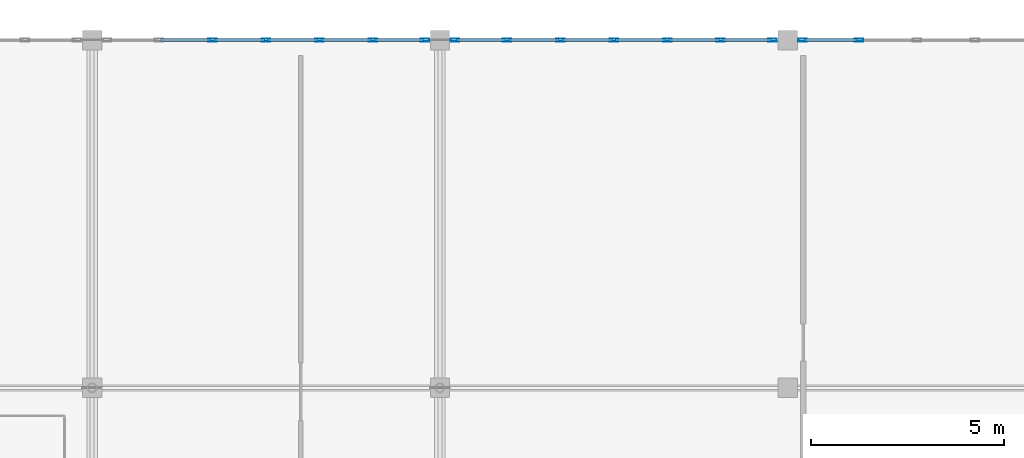
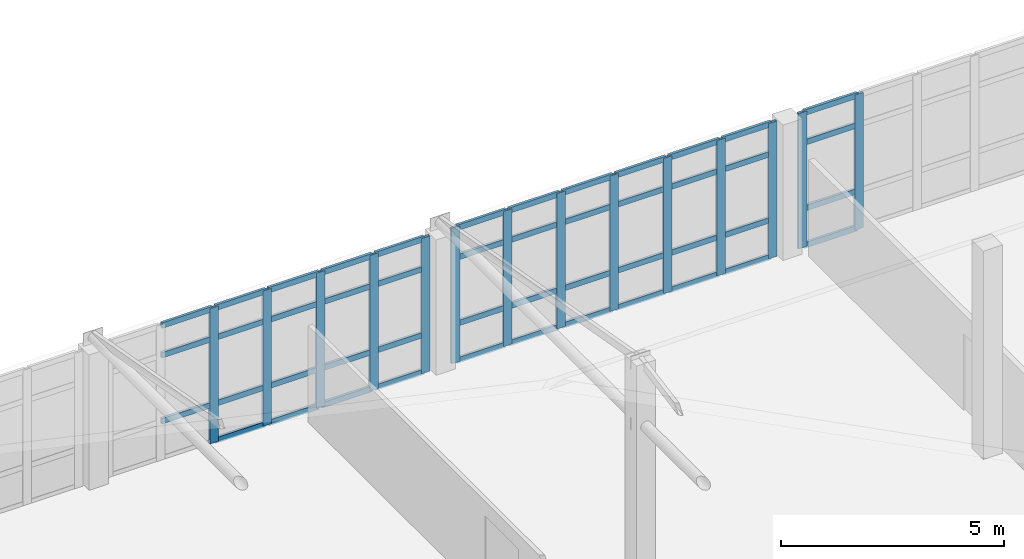
# One storey, part 71 of 156: 61 members, 3 elements without a shape of their own.
"""IFC4 building model written with IfcOpenShell, lengths in metres."""

from ifc_helpers import new_model, si_unit, direction, frame, origin, origin_2d, place, context, subcontext, project, spatial, hollow_rectangle, extrude, material, layer, layer_set, material_profile, profile_set, type_object, element, aggregate, save


model = new_model("IFC4")

# Units and contexts
model_context = context("Model", 3, precision=1e-05, world=origin(), true_north=direction((0.0, 1.0)))
body_context = subcontext(model_context, "Body", "Model", "MODEL_VIEW")
ifc_project = project(units=[si_unit("LENGTHUNIT", "METRE"), si_unit("AREAUNIT", "SQUARE_METRE"), si_unit("VOLUMEUNIT", "CUBIC_METRE"), si_unit("PLANEANGLEUNIT", "RADIAN"), si_unit("MASSUNIT", "GRAM", prefix="KILO")], contexts=[model_context])

# Site, building, storey
site_placement = place(None, origin())
site = spatial("IfcSite", under=ifc_project, at=site_placement, CompositionType="ELEMENT")
building_placement = place(site_placement, origin())
building = spatial("IfcBuilding", under=site, at=building_placement, Name="Ornek Quay Market", CompositionType="ELEMENT")
storey_placement = place(building_placement, frame((0.0, 0.0, 4.5)))
storey = spatial("IfcBuildingStorey", under=building, at=storey_placement, Name="L01", CompositionType="ELEMENT", Elevation=4.5)

# Curtain wall, members
ifc_material_1 = material(Name="Anodised bronze aluminium and triple low-e glass", Category="aluminium")
ifc_layer = layer(ifc_material_1, 0.219970703125, Name="Anodised bronze aluminium and triple low-e glass", Category="aluminium")
ifc_layer_set = layer_set([ifc_layer], Name="Anodised bronze aluminium and triple low-e glass")
curtain_wall_type = type_object("IfcCurtainWallType", Name="CW-PORCH-MOD1500", PredefinedType="USERDEFINED", material=ifc_layer_set)
curtain_wall_1_placement = place(storey_placement, origin())
curtain_wall_1 = element("IfcCurtainWall", 1, at=curtain_wall_1_placement, inside=storey, type_object=curtain_wall_type, Name="Curtain wall CW-054", ObjectType="CURTAIN WALL", PredefinedType="USERDEFINED")
ifc_material_2 = material(Name="Anodised aluminium 6063-T6", Category="aluminium")
ifc_material_profile_1 = material_profile(ifc_material_2, hollow_rectangle(XDim=0.074951171875, YDim=0.219970703125, WallThickness=0.0048828125, at=origin_2d()), Name="CW-MUL-75x220", Category="aluminium")
ifc_profile_set_1 = profile_set([ifc_material_profile_1], Name="Anodised aluminium 6063-T6")
member_type_1 = type_object("IfcMemberType", Name="CW-MUL-75x220", PredefinedType="MULLION", material=ifc_profile_set_1)
member_1_placement = place(storey_placement, frame((102.11669921875, 110.0, 0.0), z_axis=(0.0, 0.0, 1.0), x_axis=(0.0, 1.0, 0.0)))
member_1 = element("IfcMember", 2, at=member_1_placement, type_object=member_type_1, Name="CW-054 mullion 3", PredefinedType="MULLION", context=body_context, shape_type="SweptSolid", body=[
    extrude(hollow_rectangle(XDim=0.074951171875, YDim=0.219970703125, WallThickness=0.0048828125, at=origin_2d()), origin(), (0.0, 0.0, 1.0), 3.7099609375),
])
member_2_placement = place(storey_placement, frame((103.5, 110.0, 0.0), z_axis=(0.0, 0.0, 1.0), x_axis=(0.0, 1.0, 0.0)))
member_2 = element("IfcMember", 3, at=member_2_placement, type_object=member_type_1, Name="CW-054 mullion 4", PredefinedType="MULLION", context=body_context, shape_type="SweptSolid", body=[
    extrude(hollow_rectangle(XDim=0.074951171875, YDim=0.219970703125, WallThickness=0.0048828125, at=origin_2d()), origin(), (0.0, 0.0, 1.0), 3.7099609375),
])
member_3_placement = place(storey_placement, frame((104.88330078125, 110.0, 0.0), z_axis=(0.0, 0.0, 1.0), x_axis=(0.0, 1.0, 0.0)))
member_3 = element("IfcMember", 4, at=member_3_placement, type_object=member_type_1, Name="CW-054 mullion 5", PredefinedType="MULLION", context=body_context, shape_type="SweptSolid", body=[
    extrude(hollow_rectangle(XDim=0.074951171875, YDim=0.219970703125, WallThickness=0.0048828125, at=origin_2d()), origin(), (0.0, 0.0, 1.0), 3.7099609375),
])
member_4_placement = place(storey_placement, frame((106.2666015625, 110.0, 0.0), z_axis=(0.0, 0.0, 1.0), x_axis=(0.0, 1.0, 0.0)))
member_4 = element("IfcMember", 5, at=member_4_placement, type_object=member_type_1, Name="CW-054 mullion 6", PredefinedType="MULLION", context=body_context, shape_type="SweptSolid", body=[
    extrude(hollow_rectangle(XDim=0.074951171875, YDim=0.219970703125, WallThickness=0.0048828125, at=origin_2d()), origin(), (0.0, 0.0, 1.0), 3.7099609375),
])
member_5_placement = place(storey_placement, frame((107.612548828125, 110.0, 0.0), z_axis=(0.0, 0.0, 1.0), x_axis=(0.0, 1.0, 0.0)))
member_5 = element("IfcMember", 6, at=member_5_placement, type_object=member_type_1, Name="CW-054 mullion 7", PredefinedType="MULLION", context=body_context, shape_type="SweptSolid", body=[
    extrude(hollow_rectangle(XDim=0.074951171875, YDim=0.219970703125, WallThickness=0.0048828125, at=origin_2d()), origin(), (0.0, 0.0, 1.0), 3.7099609375),
])

curtain_wall_2_placement = place(storey_placement, origin())
curtain_wall_2 = element("IfcCurtainWall", 7, at=curtain_wall_2_placement, inside=storey, type_object=curtain_wall_type, Name="Curtain wall CW-055", ObjectType="CURTAIN WALL", PredefinedType="USERDEFINED")
member_6_placement = place(storey_placement, frame((108.387451171875, 110.0, 0.0), z_axis=(0.0, 0.0, 1.0), x_axis=(0.0, 1.0, 0.0)))
member_6 = element("IfcMember", 8, at=member_6_placement, type_object=member_type_1, Name="CW-055 mullion 1", PredefinedType="MULLION", context=body_context, shape_type="SweptSolid", body=[
    extrude(hollow_rectangle(XDim=0.074951171875, YDim=0.219970703125, WallThickness=0.0048828125, at=origin_2d()), origin(), (0.0, 0.0, 1.0), 3.7099609375),
])
member_7_placement = place(storey_placement, frame((109.7333984375, 110.0, 0.0), z_axis=(0.0, 0.0, 1.0), x_axis=(0.0, 1.0, 0.0)))
member_7 = element("IfcMember", 9, at=member_7_placement, type_object=member_type_1, Name="CW-055 mullion 2", PredefinedType="MULLION", context=body_context, shape_type="SweptSolid", body=[
    extrude(hollow_rectangle(XDim=0.074951171875, YDim=0.219970703125, WallThickness=0.0048828125, at=origin_2d()), origin(), (0.0, 0.0, 1.0), 3.7099609375),
])
member_8_placement = place(storey_placement, frame((111.11669921875, 110.0, 0.0), z_axis=(0.0, 0.0, 1.0), x_axis=(0.0, 1.0, 0.0)))
member_8 = element("IfcMember", 10, at=member_8_placement, type_object=member_type_1, Name="CW-055 mullion 3", PredefinedType="MULLION", context=body_context, shape_type="SweptSolid", body=[
    extrude(hollow_rectangle(XDim=0.074951171875, YDim=0.219970703125, WallThickness=0.0048828125, at=origin_2d()), origin(), (0.0, 0.0, 1.0), 3.7099609375),
])
member_9_placement = place(storey_placement, frame((112.5, 110.0, 0.0), z_axis=(0.0, 0.0, 1.0), x_axis=(0.0, 1.0, 0.0)))
member_9 = element("IfcMember", 11, at=member_9_placement, type_object=member_type_1, Name="CW-055 mullion 4", PredefinedType="MULLION", context=body_context, shape_type="SweptSolid", body=[
    extrude(hollow_rectangle(XDim=0.074951171875, YDim=0.219970703125, WallThickness=0.0048828125, at=origin_2d()), origin(), (0.0, 0.0, 1.0), 3.7099609375),
])
member_10_placement = place(storey_placement, frame((113.88330078125, 110.0, 0.0), z_axis=(0.0, 0.0, 1.0), x_axis=(0.0, 1.0, 0.0)))
member_10 = element("IfcMember", 12, at=member_10_placement, type_object=member_type_1, Name="CW-055 mullion 5", PredefinedType="MULLION", context=body_context, shape_type="SweptSolid", body=[
    extrude(hollow_rectangle(XDim=0.074951171875, YDim=0.219970703125, WallThickness=0.0048828125, at=origin_2d()), origin(), (0.0, 0.0, 1.0), 3.7099609375),
])
member_11_placement = place(storey_placement, frame((115.2666015625, 110.0, 0.0), z_axis=(0.0, 0.0, 1.0), x_axis=(0.0, 1.0, 0.0)))
member_11 = element("IfcMember", 13, at=member_11_placement, type_object=member_type_1, Name="CW-055 mullion 6", PredefinedType="MULLION", context=body_context, shape_type="SweptSolid", body=[
    extrude(hollow_rectangle(XDim=0.074951171875, YDim=0.219970703125, WallThickness=0.0048828125, at=origin_2d()), origin(), (0.0, 0.0, 1.0), 3.7099609375),
])
member_12_placement = place(storey_placement, frame((116.612548828125, 110.0, 0.0), z_axis=(0.0, 0.0, 1.0), x_axis=(0.0, 1.0, 0.0)))
member_12 = element("IfcMember", 14, at=member_12_placement, type_object=member_type_1, Name="CW-055 mullion 7", PredefinedType="MULLION", context=body_context, shape_type="SweptSolid", body=[
    extrude(hollow_rectangle(XDim=0.074951171875, YDim=0.219970703125, WallThickness=0.0048828125, at=origin_2d()), origin(), (0.0, 0.0, 1.0), 3.7099609375),
])

curtain_wall_3_placement = place(storey_placement, origin())
curtain_wall_3 = element("IfcCurtainWall", 15, at=curtain_wall_3_placement, inside=storey, type_object=curtain_wall_type, Name="Curtain wall CW-056", ObjectType="CURTAIN WALL", PredefinedType="USERDEFINED")
member_13_placement = place(storey_placement, frame((117.387451171875, 110.0, 0.0), z_axis=(0.0, 0.0, 1.0), x_axis=(0.0, 1.0, 0.0)))
member_13 = element("IfcMember", 16, at=member_13_placement, type_object=member_type_1, Name="CW-056 mullion 1", PredefinedType="MULLION", context=body_context, shape_type="SweptSolid", body=[
    extrude(hollow_rectangle(XDim=0.074951171875, YDim=0.219970703125, WallThickness=0.0048828125, at=origin_2d()), origin(), (0.0, 0.0, 1.0), 3.7099609375),
])
member_14_placement = place(storey_placement, frame((118.85009765625, 110.0, 0.0), z_axis=(0.0, 0.0, 1.0), x_axis=(0.0, 1.0, 0.0)))
member_14 = element("IfcMember", 17, at=member_14_placement, type_object=member_type_1, Name="CW-056 mullion 2", PredefinedType="MULLION", context=body_context, shape_type="SweptSolid", body=[
    extrude(hollow_rectangle(XDim=0.074951171875, YDim=0.219970703125, WallThickness=0.0048828125, at=origin_2d()), origin(), (0.0, 0.0, 1.0), 3.7099609375),
])

# Member
ifc_material_profile_2 = material_profile(ifc_material_2, hollow_rectangle(XDim=0.070068359375, YDim=0.14990234375, WallThickness=0.0048828125, at=origin_2d()), Name="CW-TRN-70x150", Category="aluminium")
ifc_profile_set_2 = profile_set([ifc_material_profile_2], Name="Anodised aluminium 6063-T6")
member_type_2 = type_object("IfcMemberType", Name="CW-TRN-70x150", PredefinedType="USERDEFINED", material=ifc_profile_set_2)
member_15_placement = place(storey_placement, frame((100.770751953125, 110.0, 1.050048828125), z_axis=(1.0, 0.0, 0.0), x_axis=(0.0, 1.0, 0.0)))
member_15 = element("IfcMember", 18, at=member_15_placement, type_object=member_type_2, Name="CW-054 transom 2.2", ObjectType="TRANSOM", PredefinedType="USERDEFINED", context=body_context, shape_type="SweptSolid", body=[
    extrude(hollow_rectangle(XDim=0.070068359375, YDim=0.14990234375, WallThickness=0.0048828125, at=origin_2d()), origin(), (0.0, 0.0, 1.0), 1.308349609375),
])

member_16_placement = place(storey_placement, frame((100.770751953125, 110.0, 2.860107421875), z_axis=(1.0, 0.0, 0.0), x_axis=(0.0, 1.0, 0.0)))
member_16 = element("IfcMember", 19, at=member_16_placement, type_object=member_type_2, Name="CW-054 transom 2.3", ObjectType="TRANSOM", PredefinedType="USERDEFINED", context=body_context, shape_type="SweptSolid", body=[
    extrude(hollow_rectangle(XDim=0.070068359375, YDim=0.14990234375, WallThickness=0.0048828125, at=origin_2d()), origin(), (0.0, 0.0, 1.0), 1.308349609375),
])

member_17_placement = place(storey_placement, frame((100.770751953125, 110.0, 3.675048828125), z_axis=(1.0, 0.0, 0.0), x_axis=(0.0, 1.0, 0.0)))
member_17 = element("IfcMember", 20, at=member_17_placement, type_object=member_type_2, Name="CW-054 transom 2.4", ObjectType="TRANSOM", PredefinedType="USERDEFINED", context=body_context, shape_type="SweptSolid", body=[
    extrude(hollow_rectangle(XDim=0.070068359375, YDim=0.14990234375, WallThickness=0.0048828125, at=origin_2d()), origin(), (0.0, 0.0, 1.0), 1.308349609375),
])

member_18_placement = place(storey_placement, frame((102.154052734375, 110.0, 0.034912109375), z_axis=(1.0, 0.0, 0.0), x_axis=(0.0, 1.0, 0.0)))
member_18 = element("IfcMember", 21, at=member_18_placement, type_object=member_type_2, Name="CW-054 transom 3.1", ObjectType="TRANSOM", PredefinedType="USERDEFINED", context=body_context, shape_type="SweptSolid", body=[
    extrude(hollow_rectangle(XDim=0.070068359375, YDim=0.14990234375, WallThickness=0.0048828125, at=origin_2d()), origin(), (0.0, 0.0, 1.0), 1.308349609375),
])

member_19_placement = place(storey_placement, frame((102.154052734375, 110.0, 1.050048828125), z_axis=(1.0, 0.0, 0.0), x_axis=(0.0, 1.0, 0.0)))
member_19 = element("IfcMember", 22, at=member_19_placement, type_object=member_type_2, Name="CW-054 transom 3.2", ObjectType="TRANSOM", PredefinedType="USERDEFINED", context=body_context, shape_type="SweptSolid", body=[
    extrude(hollow_rectangle(XDim=0.070068359375, YDim=0.14990234375, WallThickness=0.0048828125, at=origin_2d()), origin(), (0.0, 0.0, 1.0), 1.308349609375),
])

member_20_placement = place(storey_placement, frame((102.154052734375, 110.0, 2.860107421875), z_axis=(1.0, 0.0, 0.0), x_axis=(0.0, 1.0, 0.0)))
member_20 = element("IfcMember", 23, at=member_20_placement, type_object=member_type_2, Name="CW-054 transom 3.3", ObjectType="TRANSOM", PredefinedType="USERDEFINED", context=body_context, shape_type="SweptSolid", body=[
    extrude(hollow_rectangle(XDim=0.070068359375, YDim=0.14990234375, WallThickness=0.0048828125, at=origin_2d()), origin(), (0.0, 0.0, 1.0), 1.308349609375),
])

member_21_placement = place(storey_placement, frame((102.154052734375, 110.0, 3.675048828125), z_axis=(1.0, 0.0, 0.0), x_axis=(0.0, 1.0, 0.0)))
member_21 = element("IfcMember", 24, at=member_21_placement, type_object=member_type_2, Name="CW-054 transom 3.4", ObjectType="TRANSOM", PredefinedType="USERDEFINED", context=body_context, shape_type="SweptSolid", body=[
    extrude(hollow_rectangle(XDim=0.070068359375, YDim=0.14990234375, WallThickness=0.0048828125, at=origin_2d()), origin(), (0.0, 0.0, 1.0), 1.308349609375),
])

member_22_placement = place(storey_placement, frame((103.53759765625, 110.0, 0.034912109375), z_axis=(1.0, 0.0, 0.0), x_axis=(0.0, 1.0, 0.0)))
member_22 = element("IfcMember", 25, at=member_22_placement, type_object=member_type_2, Name="CW-054 transom 4.1", ObjectType="TRANSOM", PredefinedType="USERDEFINED", context=body_context, shape_type="SweptSolid", body=[
    extrude(hollow_rectangle(XDim=0.070068359375, YDim=0.14990234375, WallThickness=0.0048828125, at=origin_2d()), origin(), (0.0, 0.0, 1.0), 1.308349609375),
])

member_23_placement = place(storey_placement, frame((103.53759765625, 110.0, 1.050048828125), z_axis=(1.0, 0.0, 0.0), x_axis=(0.0, 1.0, 0.0)))
member_23 = element("IfcMember", 26, at=member_23_placement, type_object=member_type_2, Name="CW-054 transom 4.2", ObjectType="TRANSOM", PredefinedType="USERDEFINED", context=body_context, shape_type="SweptSolid", body=[
    extrude(hollow_rectangle(XDim=0.070068359375, YDim=0.14990234375, WallThickness=0.0048828125, at=origin_2d()), origin(), (0.0, 0.0, 1.0), 1.308349609375),
])

member_24_placement = place(storey_placement, frame((103.53759765625, 110.0, 2.860107421875), z_axis=(1.0, 0.0, 0.0), x_axis=(0.0, 1.0, 0.0)))
member_24 = element("IfcMember", 27, at=member_24_placement, type_object=member_type_2, Name="CW-054 transom 4.3", ObjectType="TRANSOM", PredefinedType="USERDEFINED", context=body_context, shape_type="SweptSolid", body=[
    extrude(hollow_rectangle(XDim=0.070068359375, YDim=0.14990234375, WallThickness=0.0048828125, at=origin_2d()), origin(), (0.0, 0.0, 1.0), 1.308349609375),
])

member_25_placement = place(storey_placement, frame((103.53759765625, 110.0, 3.675048828125), z_axis=(1.0, 0.0, 0.0), x_axis=(0.0, 1.0, 0.0)))
member_25 = element("IfcMember", 28, at=member_25_placement, type_object=member_type_2, Name="CW-054 transom 4.4", ObjectType="TRANSOM", PredefinedType="USERDEFINED", context=body_context, shape_type="SweptSolid", body=[
    extrude(hollow_rectangle(XDim=0.070068359375, YDim=0.14990234375, WallThickness=0.0048828125, at=origin_2d()), origin(), (0.0, 0.0, 1.0), 1.308349609375),
])

member_26_placement = place(storey_placement, frame((104.9208984375, 110.0, 0.034912109375), z_axis=(1.0, 0.0, 0.0), x_axis=(0.0, 1.0, 0.0)))
member_26 = element("IfcMember", 29, at=member_26_placement, type_object=member_type_2, Name="CW-054 transom 5.1", ObjectType="TRANSOM", PredefinedType="USERDEFINED", context=body_context, shape_type="SweptSolid", body=[
    extrude(hollow_rectangle(XDim=0.070068359375, YDim=0.14990234375, WallThickness=0.0048828125, at=origin_2d()), origin(), (0.0, 0.0, 1.0), 1.308349609375),
])

member_27_placement = place(storey_placement, frame((104.9208984375, 110.0, 1.050048828125), z_axis=(1.0, 0.0, 0.0), x_axis=(0.0, 1.0, 0.0)))
member_27 = element("IfcMember", 30, at=member_27_placement, type_object=member_type_2, Name="CW-054 transom 5.2", ObjectType="TRANSOM", PredefinedType="USERDEFINED", context=body_context, shape_type="SweptSolid", body=[
    extrude(hollow_rectangle(XDim=0.070068359375, YDim=0.14990234375, WallThickness=0.0048828125, at=origin_2d()), origin(), (0.0, 0.0, 1.0), 1.308349609375),
])

member_28_placement = place(storey_placement, frame((104.9208984375, 110.0, 2.860107421875), z_axis=(1.0, 0.0, 0.0), x_axis=(0.0, 1.0, 0.0)))
member_28 = element("IfcMember", 31, at=member_28_placement, type_object=member_type_2, Name="CW-054 transom 5.3", ObjectType="TRANSOM", PredefinedType="USERDEFINED", context=body_context, shape_type="SweptSolid", body=[
    extrude(hollow_rectangle(XDim=0.070068359375, YDim=0.14990234375, WallThickness=0.0048828125, at=origin_2d()), origin(), (0.0, 0.0, 1.0), 1.308349609375),
])

member_29_placement = place(storey_placement, frame((104.9208984375, 110.0, 3.675048828125), z_axis=(1.0, 0.0, 0.0), x_axis=(0.0, 1.0, 0.0)))
member_29 = element("IfcMember", 32, at=member_29_placement, type_object=member_type_2, Name="CW-054 transom 5.4", ObjectType="TRANSOM", PredefinedType="USERDEFINED", context=body_context, shape_type="SweptSolid", body=[
    extrude(hollow_rectangle(XDim=0.070068359375, YDim=0.14990234375, WallThickness=0.0048828125, at=origin_2d()), origin(), (0.0, 0.0, 1.0), 1.308349609375),
])

member_30_placement = place(storey_placement, frame((106.30419921875, 110.0, 0.034912109375), z_axis=(1.0, 0.0, 0.0), x_axis=(0.0, 1.0, 0.0)))
member_30 = element("IfcMember", 33, at=member_30_placement, type_object=member_type_2, Name="CW-054 transom 6.1", ObjectType="TRANSOM", PredefinedType="USERDEFINED", context=body_context, shape_type="SweptSolid", body=[
    extrude(hollow_rectangle(XDim=0.070068359375, YDim=0.14990234375, WallThickness=0.0048828125, at=origin_2d()), origin(), (0.0, 0.0, 1.0), 1.270751953125),
])

member_31_placement = place(storey_placement, frame((106.30419921875, 110.0, 1.050048828125), z_axis=(1.0, 0.0, 0.0), x_axis=(0.0, 1.0, 0.0)))
member_31 = element("IfcMember", 34, at=member_31_placement, type_object=member_type_2, Name="CW-054 transom 6.2", ObjectType="TRANSOM", PredefinedType="USERDEFINED", context=body_context, shape_type="SweptSolid", body=[
    extrude(hollow_rectangle(XDim=0.070068359375, YDim=0.14990234375, WallThickness=0.0048828125, at=origin_2d()), origin(), (0.0, 0.0, 1.0), 1.270751953125),
])

member_32_placement = place(storey_placement, frame((106.30419921875, 110.0, 2.860107421875), z_axis=(1.0, 0.0, 0.0), x_axis=(0.0, 1.0, 0.0)))
member_32 = element("IfcMember", 35, at=member_32_placement, type_object=member_type_2, Name="CW-054 transom 6.3", ObjectType="TRANSOM", PredefinedType="USERDEFINED", context=body_context, shape_type="SweptSolid", body=[
    extrude(hollow_rectangle(XDim=0.070068359375, YDim=0.14990234375, WallThickness=0.0048828125, at=origin_2d()), origin(), (0.0, 0.0, 1.0), 1.270751953125),
])

member_33_placement = place(storey_placement, frame((106.30419921875, 110.0, 3.675048828125), z_axis=(1.0, 0.0, 0.0), x_axis=(0.0, 1.0, 0.0)))
member_33 = element("IfcMember", 36, at=member_33_placement, type_object=member_type_2, Name="CW-054 transom 6.4", ObjectType="TRANSOM", PredefinedType="USERDEFINED", context=body_context, shape_type="SweptSolid", body=[
    extrude(hollow_rectangle(XDim=0.070068359375, YDim=0.14990234375, WallThickness=0.0048828125, at=origin_2d()), origin(), (0.0, 0.0, 1.0), 1.270751953125),
])

aggregate(curtain_wall_1, [member_1, member_2, member_3, member_4, member_5, member_15, member_16, member_17, member_18, member_19, member_20, member_21, member_22, member_23, member_24, member_25, member_26, member_27, member_28, member_29, member_30, member_31, member_32, member_33])

member_34_placement = place(storey_placement, frame((108.425048828125, 110.0, 0.034912109375), z_axis=(1.0, 0.0, 0.0), x_axis=(0.0, 1.0, 0.0)))
member_34 = element("IfcMember", 37, at=member_34_placement, type_object=member_type_2, Name="CW-055 transom 1.1", ObjectType="TRANSOM", PredefinedType="USERDEFINED", context=body_context, shape_type="SweptSolid", body=[
    extrude(hollow_rectangle(XDim=0.070068359375, YDim=0.14990234375, WallThickness=0.0048828125, at=origin_2d()), origin(), (0.0, 0.0, 1.0), 1.270751953125),
])

member_35_placement = place(storey_placement, frame((108.425048828125, 110.0, 1.050048828125), z_axis=(1.0, 0.0, 0.0), x_axis=(0.0, 1.0, 0.0)))
member_35 = element("IfcMember", 38, at=member_35_placement, type_object=member_type_2, Name="CW-055 transom 1.2", ObjectType="TRANSOM", PredefinedType="USERDEFINED", context=body_context, shape_type="SweptSolid", body=[
    extrude(hollow_rectangle(XDim=0.070068359375, YDim=0.14990234375, WallThickness=0.0048828125, at=origin_2d()), origin(), (0.0, 0.0, 1.0), 1.270751953125),
])

member_36_placement = place(storey_placement, frame((108.425048828125, 110.0, 2.860107421875), z_axis=(1.0, 0.0, 0.0), x_axis=(0.0, 1.0, 0.0)))
member_36 = element("IfcMember", 39, at=member_36_placement, type_object=member_type_2, Name="CW-055 transom 1.3", ObjectType="TRANSOM", PredefinedType="USERDEFINED", context=body_context, shape_type="SweptSolid", body=[
    extrude(hollow_rectangle(XDim=0.070068359375, YDim=0.14990234375, WallThickness=0.0048828125, at=origin_2d()), origin(), (0.0, 0.0, 1.0), 1.270751953125),
])

member_37_placement = place(storey_placement, frame((108.425048828125, 110.0, 3.675048828125), z_axis=(1.0, 0.0, 0.0), x_axis=(0.0, 1.0, 0.0)))
member_37 = element("IfcMember", 40, at=member_37_placement, type_object=member_type_2, Name="CW-055 transom 1.4", ObjectType="TRANSOM", PredefinedType="USERDEFINED", context=body_context, shape_type="SweptSolid", body=[
    extrude(hollow_rectangle(XDim=0.070068359375, YDim=0.14990234375, WallThickness=0.0048828125, at=origin_2d()), origin(), (0.0, 0.0, 1.0), 1.270751953125),
])

member_38_placement = place(storey_placement, frame((109.770751953125, 110.0, 0.034912109375), z_axis=(1.0, 0.0, 0.0), x_axis=(0.0, 1.0, 0.0)))
member_38 = element("IfcMember", 41, at=member_38_placement, type_object=member_type_2, Name="CW-055 transom 2.1", ObjectType="TRANSOM", PredefinedType="USERDEFINED", context=body_context, shape_type="SweptSolid", body=[
    extrude(hollow_rectangle(XDim=0.070068359375, YDim=0.14990234375, WallThickness=0.0048828125, at=origin_2d()), origin(), (0.0, 0.0, 1.0), 1.308349609375),
])

member_39_placement = place(storey_placement, frame((109.770751953125, 110.0, 1.050048828125), z_axis=(1.0, 0.0, 0.0), x_axis=(0.0, 1.0, 0.0)))
member_39 = element("IfcMember", 42, at=member_39_placement, type_object=member_type_2, Name="CW-055 transom 2.2", ObjectType="TRANSOM", PredefinedType="USERDEFINED", context=body_context, shape_type="SweptSolid", body=[
    extrude(hollow_rectangle(XDim=0.070068359375, YDim=0.14990234375, WallThickness=0.0048828125, at=origin_2d()), origin(), (0.0, 0.0, 1.0), 1.308349609375),
])

member_40_placement = place(storey_placement, frame((109.770751953125, 110.0, 2.860107421875), z_axis=(1.0, 0.0, 0.0), x_axis=(0.0, 1.0, 0.0)))
member_40 = element("IfcMember", 43, at=member_40_placement, type_object=member_type_2, Name="CW-055 transom 2.3", ObjectType="TRANSOM", PredefinedType="USERDEFINED", context=body_context, shape_type="SweptSolid", body=[
    extrude(hollow_rectangle(XDim=0.070068359375, YDim=0.14990234375, WallThickness=0.0048828125, at=origin_2d()), origin(), (0.0, 0.0, 1.0), 1.308349609375),
])

member_41_placement = place(storey_placement, frame((109.770751953125, 110.0, 3.675048828125), z_axis=(1.0, 0.0, 0.0), x_axis=(0.0, 1.0, 0.0)))
member_41 = element("IfcMember", 44, at=member_41_placement, type_object=member_type_2, Name="CW-055 transom 2.4", ObjectType="TRANSOM", PredefinedType="USERDEFINED", context=body_context, shape_type="SweptSolid", body=[
    extrude(hollow_rectangle(XDim=0.070068359375, YDim=0.14990234375, WallThickness=0.0048828125, at=origin_2d()), origin(), (0.0, 0.0, 1.0), 1.308349609375),
])

member_42_placement = place(storey_placement, frame((111.154052734375, 110.0, 0.034912109375), z_axis=(1.0, 0.0, 0.0), x_axis=(0.0, 1.0, 0.0)))
member_42 = element("IfcMember", 45, at=member_42_placement, type_object=member_type_2, Name="CW-055 transom 3.1", ObjectType="TRANSOM", PredefinedType="USERDEFINED", context=body_context, shape_type="SweptSolid", body=[
    extrude(hollow_rectangle(XDim=0.070068359375, YDim=0.14990234375, WallThickness=0.0048828125, at=origin_2d()), origin(), (0.0, 0.0, 1.0), 1.308349609375),
])

member_43_placement = place(storey_placement, frame((111.154052734375, 110.0, 1.050048828125), z_axis=(1.0, 0.0, 0.0), x_axis=(0.0, 1.0, 0.0)))
member_43 = element("IfcMember", 46, at=member_43_placement, type_object=member_type_2, Name="CW-055 transom 3.2", ObjectType="TRANSOM", PredefinedType="USERDEFINED", context=body_context, shape_type="SweptSolid", body=[
    extrude(hollow_rectangle(XDim=0.070068359375, YDim=0.14990234375, WallThickness=0.0048828125, at=origin_2d()), origin(), (0.0, 0.0, 1.0), 1.308349609375),
])

member_44_placement = place(storey_placement, frame((111.154052734375, 110.0, 2.860107421875), z_axis=(1.0, 0.0, 0.0), x_axis=(0.0, 1.0, 0.0)))
member_44 = element("IfcMember", 47, at=member_44_placement, type_object=member_type_2, Name="CW-055 transom 3.3", ObjectType="TRANSOM", PredefinedType="USERDEFINED", context=body_context, shape_type="SweptSolid", body=[
    extrude(hollow_rectangle(XDim=0.070068359375, YDim=0.14990234375, WallThickness=0.0048828125, at=origin_2d()), origin(), (0.0, 0.0, 1.0), 1.308349609375),
])

member_45_placement = place(storey_placement, frame((111.154052734375, 110.0, 3.675048828125), z_axis=(1.0, 0.0, 0.0), x_axis=(0.0, 1.0, 0.0)))
member_45 = element("IfcMember", 48, at=member_45_placement, type_object=member_type_2, Name="CW-055 transom 3.4", ObjectType="TRANSOM", PredefinedType="USERDEFINED", context=body_context, shape_type="SweptSolid", body=[
    extrude(hollow_rectangle(XDim=0.070068359375, YDim=0.14990234375, WallThickness=0.0048828125, at=origin_2d()), origin(), (0.0, 0.0, 1.0), 1.308349609375),
])

member_46_placement = place(storey_placement, frame((112.53759765625, 110.0, 0.034912109375), z_axis=(1.0, 0.0, 0.0), x_axis=(0.0, 1.0, 0.0)))
member_46 = element("IfcMember", 49, at=member_46_placement, type_object=member_type_2, Name="CW-055 transom 4.1", ObjectType="TRANSOM", PredefinedType="USERDEFINED", context=body_context, shape_type="SweptSolid", body=[
    extrude(hollow_rectangle(XDim=0.070068359375, YDim=0.14990234375, WallThickness=0.0048828125, at=origin_2d()), origin(), (0.0, 0.0, 1.0), 1.308349609375),
])

member_47_placement = place(storey_placement, frame((112.53759765625, 110.0, 1.050048828125), z_axis=(1.0, 0.0, 0.0), x_axis=(0.0, 1.0, 0.0)))
member_47 = element("IfcMember", 50, at=member_47_placement, type_object=member_type_2, Name="CW-055 transom 4.2", ObjectType="TRANSOM", PredefinedType="USERDEFINED", context=body_context, shape_type="SweptSolid", body=[
    extrude(hollow_rectangle(XDim=0.070068359375, YDim=0.14990234375, WallThickness=0.0048828125, at=origin_2d()), origin(), (0.0, 0.0, 1.0), 1.308349609375),
])

member_48_placement = place(storey_placement, frame((112.53759765625, 110.0, 2.860107421875), z_axis=(1.0, 0.0, 0.0), x_axis=(0.0, 1.0, 0.0)))
member_48 = element("IfcMember", 51, at=member_48_placement, type_object=member_type_2, Name="CW-055 transom 4.3", ObjectType="TRANSOM", PredefinedType="USERDEFINED", context=body_context, shape_type="SweptSolid", body=[
    extrude(hollow_rectangle(XDim=0.070068359375, YDim=0.14990234375, WallThickness=0.0048828125, at=origin_2d()), origin(), (0.0, 0.0, 1.0), 1.308349609375),
])

member_49_placement = place(storey_placement, frame((112.53759765625, 110.0, 3.675048828125), z_axis=(1.0, 0.0, 0.0), x_axis=(0.0, 1.0, 0.0)))
member_49 = element("IfcMember", 52, at=member_49_placement, type_object=member_type_2, Name="CW-055 transom 4.4", ObjectType="TRANSOM", PredefinedType="USERDEFINED", context=body_context, shape_type="SweptSolid", body=[
    extrude(hollow_rectangle(XDim=0.070068359375, YDim=0.14990234375, WallThickness=0.0048828125, at=origin_2d()), origin(), (0.0, 0.0, 1.0), 1.308349609375),
])

member_50_placement = place(storey_placement, frame((113.9208984375, 110.0, 0.034912109375), z_axis=(1.0, 0.0, 0.0), x_axis=(0.0, 1.0, 0.0)))
member_50 = element("IfcMember", 53, at=member_50_placement, type_object=member_type_2, Name="CW-055 transom 5.1", ObjectType="TRANSOM", PredefinedType="USERDEFINED", context=body_context, shape_type="SweptSolid", body=[
    extrude(hollow_rectangle(XDim=0.070068359375, YDim=0.14990234375, WallThickness=0.0048828125, at=origin_2d()), origin(), (0.0, 0.0, 1.0), 1.308349609375),
])

member_51_placement = place(storey_placement, frame((113.9208984375, 110.0, 1.050048828125), z_axis=(1.0, 0.0, 0.0), x_axis=(0.0, 1.0, 0.0)))
member_51 = element("IfcMember", 54, at=member_51_placement, type_object=member_type_2, Name="CW-055 transom 5.2", ObjectType="TRANSOM", PredefinedType="USERDEFINED", context=body_context, shape_type="SweptSolid", body=[
    extrude(hollow_rectangle(XDim=0.070068359375, YDim=0.14990234375, WallThickness=0.0048828125, at=origin_2d()), origin(), (0.0, 0.0, 1.0), 1.308349609375),
])

member_52_placement = place(storey_placement, frame((113.9208984375, 110.0, 2.860107421875), z_axis=(1.0, 0.0, 0.0), x_axis=(0.0, 1.0, 0.0)))
member_52 = element("IfcMember", 55, at=member_52_placement, type_object=member_type_2, Name="CW-055 transom 5.3", ObjectType="TRANSOM", PredefinedType="USERDEFINED", context=body_context, shape_type="SweptSolid", body=[
    extrude(hollow_rectangle(XDim=0.070068359375, YDim=0.14990234375, WallThickness=0.0048828125, at=origin_2d()), origin(), (0.0, 0.0, 1.0), 1.308349609375),
])

member_53_placement = place(storey_placement, frame((113.9208984375, 110.0, 3.675048828125), z_axis=(1.0, 0.0, 0.0), x_axis=(0.0, 1.0, 0.0)))
member_53 = element("IfcMember", 56, at=member_53_placement, type_object=member_type_2, Name="CW-055 transom 5.4", ObjectType="TRANSOM", PredefinedType="USERDEFINED", context=body_context, shape_type="SweptSolid", body=[
    extrude(hollow_rectangle(XDim=0.070068359375, YDim=0.14990234375, WallThickness=0.0048828125, at=origin_2d()), origin(), (0.0, 0.0, 1.0), 1.308349609375),
])

member_54_placement = place(storey_placement, frame((115.30419921875, 110.0, 0.034912109375), z_axis=(1.0, 0.0, 0.0), x_axis=(0.0, 1.0, 0.0)))
member_54 = element("IfcMember", 57, at=member_54_placement, type_object=member_type_2, Name="CW-055 transom 6.1", ObjectType="TRANSOM", PredefinedType="USERDEFINED", context=body_context, shape_type="SweptSolid", body=[
    extrude(hollow_rectangle(XDim=0.070068359375, YDim=0.14990234375, WallThickness=0.0048828125, at=origin_2d()), origin(), (0.0, 0.0, 1.0), 1.270751953125),
])

member_55_placement = place(storey_placement, frame((115.30419921875, 110.0, 1.050048828125), z_axis=(1.0, 0.0, 0.0), x_axis=(0.0, 1.0, 0.0)))
member_55 = element("IfcMember", 58, at=member_55_placement, type_object=member_type_2, Name="CW-055 transom 6.2", ObjectType="TRANSOM", PredefinedType="USERDEFINED", context=body_context, shape_type="SweptSolid", body=[
    extrude(hollow_rectangle(XDim=0.070068359375, YDim=0.14990234375, WallThickness=0.0048828125, at=origin_2d()), origin(), (0.0, 0.0, 1.0), 1.270751953125),
])

member_56_placement = place(storey_placement, frame((115.30419921875, 110.0, 2.860107421875), z_axis=(1.0, 0.0, 0.0), x_axis=(0.0, 1.0, 0.0)))
member_56 = element("IfcMember", 59, at=member_56_placement, type_object=member_type_2, Name="CW-055 transom 6.3", ObjectType="TRANSOM", PredefinedType="USERDEFINED", context=body_context, shape_type="SweptSolid", body=[
    extrude(hollow_rectangle(XDim=0.070068359375, YDim=0.14990234375, WallThickness=0.0048828125, at=origin_2d()), origin(), (0.0, 0.0, 1.0), 1.270751953125),
])

member_57_placement = place(storey_placement, frame((115.30419921875, 110.0, 3.675048828125), z_axis=(1.0, 0.0, 0.0), x_axis=(0.0, 1.0, 0.0)))
member_57 = element("IfcMember", 60, at=member_57_placement, type_object=member_type_2, Name="CW-055 transom 6.4", ObjectType="TRANSOM", PredefinedType="USERDEFINED", context=body_context, shape_type="SweptSolid", body=[
    extrude(hollow_rectangle(XDim=0.070068359375, YDim=0.14990234375, WallThickness=0.0048828125, at=origin_2d()), origin(), (0.0, 0.0, 1.0), 1.270751953125),
])

aggregate(curtain_wall_2, [member_6, member_7, member_8, member_9, member_10, member_11, member_12, member_34, member_35, member_36, member_37, member_38, member_39, member_40, member_41, member_42, member_43, member_44, member_45, member_46, member_47, member_48, member_49, member_50, member_51, member_52, member_53, member_54, member_55, member_56, member_57])

member_58_placement = place(storey_placement, frame((117.425048828125, 110.0, 0.034912109375), z_axis=(1.0, 0.0, 0.0), x_axis=(0.0, 1.0, 0.0)))
member_58 = element("IfcMember", 61, at=member_58_placement, type_object=member_type_2, Name="CW-056 transom 1.1", ObjectType="TRANSOM", PredefinedType="USERDEFINED", context=body_context, shape_type="SweptSolid", body=[
    extrude(hollow_rectangle(XDim=0.070068359375, YDim=0.14990234375, WallThickness=0.0048828125, at=origin_2d()), origin(), (0.0, 0.0, 1.0), 1.387451171875),
])

member_59_placement = place(storey_placement, frame((117.425048828125, 110.0, 1.050048828125), z_axis=(1.0, 0.0, 0.0), x_axis=(0.0, 1.0, 0.0)))
member_59 = element("IfcMember", 62, at=member_59_placement, type_object=member_type_2, Name="CW-056 transom 1.2", ObjectType="TRANSOM", PredefinedType="USERDEFINED", context=body_context, shape_type="SweptSolid", body=[
    extrude(hollow_rectangle(XDim=0.070068359375, YDim=0.14990234375, WallThickness=0.0048828125, at=origin_2d()), origin(), (0.0, 0.0, 1.0), 1.387451171875),
])

member_60_placement = place(storey_placement, frame((117.425048828125, 110.0, 2.860107421875), z_axis=(1.0, 0.0, 0.0), x_axis=(0.0, 1.0, 0.0)))
member_60 = element("IfcMember", 63, at=member_60_placement, type_object=member_type_2, Name="CW-056 transom 1.3", ObjectType="TRANSOM", PredefinedType="USERDEFINED", context=body_context, shape_type="SweptSolid", body=[
    extrude(hollow_rectangle(XDim=0.070068359375, YDim=0.14990234375, WallThickness=0.0048828125, at=origin_2d()), origin(), (0.0, 0.0, 1.0), 1.387451171875),
])

member_61_placement = place(storey_placement, frame((117.425048828125, 110.0, 3.675048828125), z_axis=(1.0, 0.0, 0.0), x_axis=(0.0, 1.0, 0.0)))
member_61 = element("IfcMember", 64, at=member_61_placement, type_object=member_type_2, Name="CW-056 transom 1.4", ObjectType="TRANSOM", PredefinedType="USERDEFINED", context=body_context, shape_type="SweptSolid", body=[
    extrude(hollow_rectangle(XDim=0.070068359375, YDim=0.14990234375, WallThickness=0.0048828125, at=origin_2d()), origin(), (0.0, 0.0, 1.0), 1.387451171875),
])

aggregate(curtain_wall_3, [member_13, member_14, member_58, member_59, member_60, member_61])

save(model, "model.ifc")
